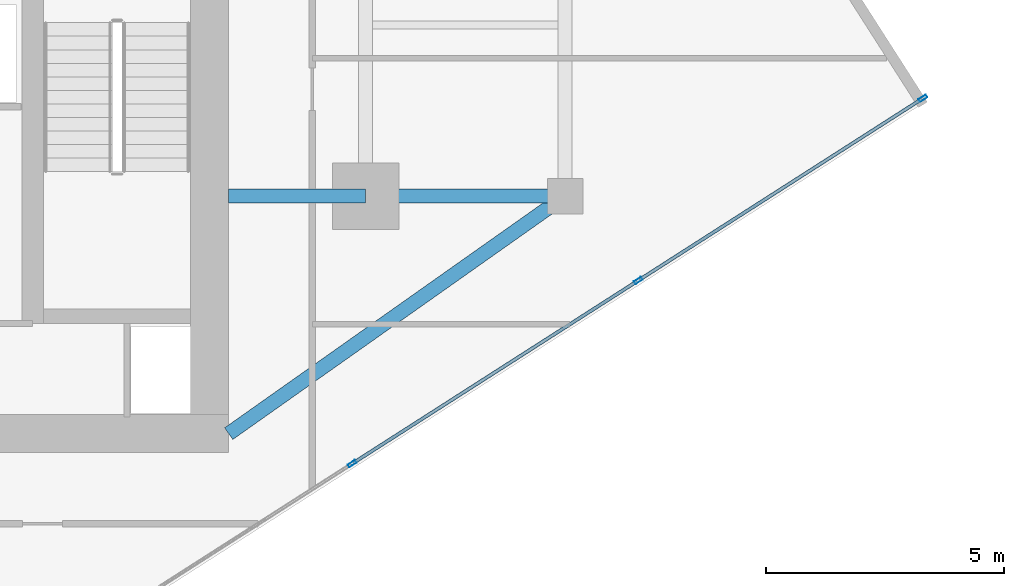
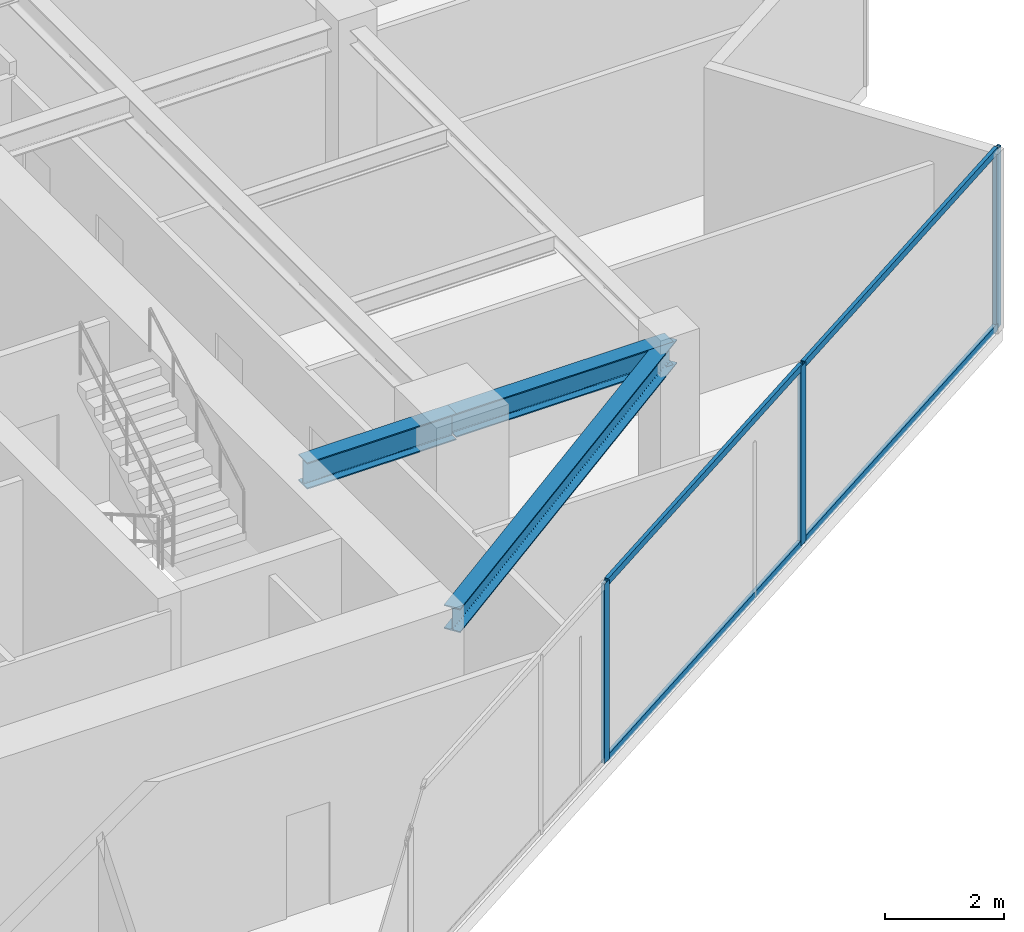
# One storey, part 8 of 20: 7 members, 3 beams, 1 element without a shape of its own.
"""IFC4 building model written with IfcOpenShell, lengths in metres."""

from ifc_helpers import new_model, si_unit, direction, frame, origin, origin_2d, place, context, subcontext, project, spatial, hollow_rectangle, i_section, extrude, source, transform, mapped, material, material_profile, profile_set, type_object, type_shapes, element, aggregate, save


model = new_model("IFC4")

# Units and contexts
model_context = context("Model", 3, precision=1e-05, world=origin(), true_north=direction((0.0, 1.0)))
body_context = subcontext(model_context, "Body", "Model", "MODEL_VIEW")
ifc_project = project(units=[si_unit("LENGTHUNIT", "METRE"), si_unit("AREAUNIT", "SQUARE_METRE"), si_unit("VOLUMEUNIT", "CUBIC_METRE"), si_unit("PLANEANGLEUNIT", "RADIAN"), si_unit("MASSUNIT", "GRAM", prefix="KILO")], contexts=[model_context])

# Site, building, storey
site_placement = place(None, origin())
site = spatial("IfcSite", under=ifc_project, at=site_placement, CompositionType="ELEMENT")
building_placement = place(site_placement, origin())
building = spatial("IfcBuilding", under=site, at=building_placement, Name="Krantzveldt Concourse Tower", CompositionType="ELEMENT")
storey_placement = place(building_placement, frame((0.0, 0.0, 291.10009765625)))
storey = spatial("IfcBuildingStorey", under=building, at=storey_placement, Name="L71", CompositionType="ELEMENT", Elevation=291.10009765625)

# Beams
ifc_material_1 = material(Name="Steel S355JR", Category="steel")
ifc_material_profile_1 = material_profile(ifc_material_1, i_section(OverallWidth=0.300048828125, OverallDepth=0.489990234375, WebThickness=0.011962890625, FlangeThickness=0.02294921875, FilletRadius=0.027099609375, at=origin_2d()), Name="Steel S355JR", Category="steel")
ifc_profile_set_1 = profile_set([ifc_material_profile_1], Name="Steel S355JR - HEA 500")
beam_type_1 = type_object("IfcBeamType", Name="BM-B-HEA500", PredefinedType="BEAM", material=ifc_profile_set_1)
shared_shape_1 = source(origin(), body_context, "Body", "SweptSolid", [
    extrude(i_section(OverallWidth=0.300048828125, OverallDepth=0.489990234375, WebThickness=0.011962890625, FlangeThickness=0.02294921875, FilletRadius=0.027099609375, at=origin_2d()), origin(), (0.0, 0.0, 1.0), 4.199951171875),
])
beam_1_placement = place(storey_placement, frame((46.800048828125, 15.89990234375, 3.4248046875), z_axis=(1.0, 0.0, 0.0), x_axis=(0.0, 1.0, 0.0)))
element("IfcBeam", 1, at=beam_1_placement, inside=storey, type_object=beam_type_1, Name="L71 Tower Girder BR-RR1", PredefinedType="BEAM", context=body_context, shape_type="MappedRepresentation", body=[
    mapped(shared_shape_1, transform((0.0, 0.0, 0.0), x_axis=(1.0, 0.0, 0.0), y_axis=(0.0, 1.0, 0.0), z_axis=(0.0, 0.0, 1.0), scale=1.0)),
])
shared_shape_2 = source(origin(), body_context, "Body", "SweptSolid", [
    extrude(i_section(OverallWidth=0.300048828125, OverallDepth=0.489990234375, WebThickness=0.011962890625, FlangeThickness=0.02294921875, FilletRadius=0.027099609375, at=origin_2d()), origin(), (0.0, 0.0, 1.0), 8.667724609375),
])
type_shapes(beam_type_1, [shared_shape_1, shared_shape_2])
beam_2_placement = place(storey_placement, frame((51.0, 15.89990234375, 3.4248046875), z_axis=(-0.81684294656, -0.576860122261, 0.0), x_axis=(0.576860122261, -0.81684294656, 0.0)))
element("IfcBeam", 2, at=beam_2_placement, inside=storey, type_object=beam_type_1, Name="L71 Tower Girder BR-CSE", PredefinedType="BEAM", context=body_context, shape_type="MappedRepresentation", body=[
    mapped(shared_shape_2, transform((0.0, 0.0, 0.0), x_axis=(1.0, 0.0, 0.0), y_axis=(0.0, 1.0, 0.0), z_axis=(0.0, 0.0, 1.0), scale=1.0)),
])
ifc_material_profile_2 = material_profile(ifc_material_1, i_section(OverallWidth=0.300048828125, OverallDepth=0.5400390625, WebThickness=0.012451171875, FlangeThickness=0.02392578125, FilletRadius=0.027099609375, at=origin_2d()), Name="Steel S355JR", Category="steel")
ifc_profile_set_2 = profile_set([ifc_material_profile_2], Name="Steel S355JR - HEA 550")
beam_type_2 = type_object("IfcBeamType", Name="BM-B-HEA550", PredefinedType="BEAM", material=ifc_profile_set_2)
shared_shape_3 = source(origin(), body_context, "Body", "SweptSolid", [
    extrude(i_section(OverallWidth=0.300048828125, OverallDepth=0.5400390625, WebThickness=0.012451171875, FlangeThickness=0.02392578125, FilletRadius=0.027099609375, at=origin_2d()), origin(), (0.0, 0.0, 1.0), 2.880126953125),
])
type_shapes(beam_type_2, [shared_shape_3])
beam_3_placement = place(storey_placement, frame((43.919921875, 15.89990234375, 3.39990234375), z_axis=(1.0, 0.0, 0.0), x_axis=(0.0, 1.0, 0.0)))
element("IfcBeam", 3, at=beam_3_placement, inside=storey, type_object=beam_type_2, Name="L71 Tower Girder BG-CE1", PredefinedType="BEAM", context=body_context, shape_type="MappedRepresentation", body=[
    mapped(shared_shape_3, transform((0.0, 0.0, 0.0), x_axis=(1.0, 0.0, 0.0), y_axis=(0.0, 1.0, 0.0), z_axis=(0.0, 0.0, 1.0), scale=1.0)),
])

# Curtain wall, members
ifc_material_2 = material(Name="Anodised aluminium 6063-T6", Category="aluminium")
curtain_wall_type = type_object("IfcCurtainWallType", Name="CW4", PredefinedType="USERDEFINED", material=ifc_material_2)
curtain_wall_placement = place(storey_placement, origin())
curtain_wall = element("IfcCurtainWall", 4, at=curtain_wall_placement, inside=storey, type_object=curtain_wall_type, Name="CW-L71-F07", ObjectType="UNITISED CURTAIN WALL", PredefinedType="USERDEFINED")
ifc_material_profile_3 = material_profile(ifc_material_2, hollow_rectangle(XDim=0.070068359375, YDim=0.179931640625, WallThickness=0.0048828125, at=origin_2d()), Name="Anodised aluminium 6063-T6", Category="aluminium")
ifc_profile_set_3 = profile_set([ifc_material_profile_3], Name="Anodised aluminium 6063-T6 - ALU-MULL 180x70x5")
member_type_1 = type_object("IfcMemberType", Name="CW-MUL-180", PredefinedType="MULLION", material=ifc_profile_set_3)
shared_shape_4 = source(origin(), body_context, "Body", "SweptSolid", [
    extrude(hollow_rectangle(XDim=0.070068359375, YDim=0.179931640625, WallThickness=0.0048828125, at=origin_2d()), origin(), (0.0, 0.0, 1.0), 3.669921875),
])
type_shapes(member_type_1, [shared_shape_4])
member_1_placement = place(storey_placement, frame((46.5185546875, 10.268310546875, 0.0), z_axis=(0.0, 0.0, 1.0), x_axis=(-0.53913830827, 0.842217243088, 0.0)))
member_1 = element("IfcMember", 5, at=member_1_placement, type_object=member_type_1, Name="CW-Z56 mullion 3", PredefinedType="MULLION", context=body_context, shape_type="MappedRepresentation", body=[
    mapped(shared_shape_4, transform((0.0, 0.0, 0.0), x_axis=(1.0, 0.0, 0.0), y_axis=(0.0, 1.0, 0.0), z_axis=(0.0, 0.0, 1.0), scale=1.0)),
])
member_2_placement = place(storey_placement, frame((52.54052734375, 14.123291015625, 0.0), z_axis=(0.0, 0.0, 1.0), x_axis=(-0.53913830827, 0.842217243088, 0.0)))
member_2 = element("IfcMember", 6, at=member_2_placement, type_object=member_type_1, Name="CW-Z56 mullion 4", PredefinedType="MULLION", context=body_context, shape_type="MappedRepresentation", body=[
    mapped(shared_shape_4, transform((0.0, 0.0, 0.0), x_axis=(1.0, 0.0, 0.0), y_axis=(0.0, 1.0, 0.0), z_axis=(0.0, 0.0, 1.0), scale=1.0)),
])
member_3_placement = place(storey_placement, frame((58.53271484375, 17.959228515625, 0.0), z_axis=(0.0, 0.0, 1.0), x_axis=(-0.53913830827, 0.842217243088, 0.0)))
member_3 = element("IfcMember", 7, at=member_3_placement, type_object=member_type_1, Name="CW-Z56 mullion 5", PredefinedType="MULLION", context=body_context, shape_type="MappedRepresentation", body=[
    mapped(shared_shape_4, transform((0.0, 0.0, 0.0), x_axis=(1.0, 0.0, 0.0), y_axis=(0.0, 1.0, 0.0), z_axis=(0.0, 0.0, 1.0), scale=1.0)),
])
ifc_material_profile_4 = material_profile(ifc_material_2, hollow_rectangle(XDim=0.070068359375, YDim=0.139892578125, WallThickness=0.0048828125, at=origin_2d()), Name="Anodised aluminium 6063-T6", Category="aluminium")
ifc_profile_set_4 = profile_set([ifc_material_profile_4], Name="Anodised aluminium 6063-T6 - ALU-TRAN 140x70x5")
member_type_2 = type_object("IfcMemberType", Name="CW-TRN-150", PredefinedType="USERDEFINED", material=ifc_profile_set_4)
shared_shape_5 = source(origin(), body_context, "Body", "SweptSolid", [
    extrude(hollow_rectangle(XDim=0.070068359375, YDim=0.139892578125, WallThickness=0.0048828125, at=origin_2d()), origin(), (0.0, 0.0, 1.0), 7.080078125),
])
member_4_placement = place(storey_placement, frame((46.548095703125, 10.287109375, 0.034912109375), z_axis=(0.842214406915, 0.539142738786, 0.0), x_axis=(-0.539142738786, 0.842214406915, 0.0)))
member_4 = element("IfcMember", 8, at=member_4_placement, type_object=member_type_2, Name="CW-Z56 transom 3.1", ObjectType="TRANSOM", PredefinedType="USERDEFINED", context=body_context, shape_type="MappedRepresentation", body=[
    mapped(shared_shape_5, transform((0.0, 0.0, 0.0), x_axis=(1.0, 0.0, 0.0), y_axis=(0.0, 1.0, 0.0), z_axis=(0.0, 0.0, 1.0), scale=1.0)),
])
member_5_placement = place(storey_placement, frame((46.548095703125, 10.287109375, 3.635009765625), z_axis=(0.842214406915, 0.539142738786, 0.0), x_axis=(-0.539142738786, 0.842214406915, 0.0)))
member_5 = element("IfcMember", 9, at=member_5_placement, type_object=member_type_2, Name="CW-Z56 transom 3.2", ObjectType="TRANSOM", PredefinedType="USERDEFINED", context=body_context, shape_type="MappedRepresentation", body=[
    mapped(shared_shape_5, transform((0.0, 0.0, 0.0), x_axis=(1.0, 0.0, 0.0), y_axis=(0.0, 1.0, 0.0), z_axis=(0.0, 0.0, 1.0), scale=1.0)),
])
shared_shape_6 = source(origin(), body_context, "Body", "SweptSolid", [
    extrude(hollow_rectangle(XDim=0.070068359375, YDim=0.139892578125, WallThickness=0.0048828125, at=origin_2d()), origin(), (0.0, 0.0, 1.0), 7.045166015625),
])
type_shapes(member_type_2, [shared_shape_5, shared_shape_6])
member_6_placement = place(storey_placement, frame((52.56982421875, 14.14208984375, 0.034912109375), z_axis=(0.842233007615, 0.539113680854, 0.0), x_axis=(-0.539113680854, 0.842233007615, 0.0)))
member_6 = element("IfcMember", 10, at=member_6_placement, type_object=member_type_2, Name="CW-Z56 transom 4.1", ObjectType="TRANSOM", PredefinedType="USERDEFINED", context=body_context, shape_type="MappedRepresentation", body=[
    mapped(shared_shape_6, transform((0.0, 0.0, 0.0), x_axis=(1.0, 0.0, 0.0), y_axis=(0.0, 1.0, 0.0), z_axis=(0.0, 0.0, 1.0), scale=1.0)),
])
member_7_placement = place(storey_placement, frame((52.56982421875, 14.14208984375, 3.635009765625), z_axis=(0.842233007615, 0.539113680854, 0.0), x_axis=(-0.539113680854, 0.842233007615, 0.0)))
member_7 = element("IfcMember", 11, at=member_7_placement, type_object=member_type_2, Name="CW-Z56 transom 4.2", ObjectType="TRANSOM", PredefinedType="USERDEFINED", context=body_context, shape_type="MappedRepresentation", body=[
    mapped(shared_shape_6, transform((0.0, 0.0, 0.0), x_axis=(1.0, 0.0, 0.0), y_axis=(0.0, 1.0, 0.0), z_axis=(0.0, 0.0, 1.0), scale=1.0)),
])
aggregate(curtain_wall, [member_1, member_2, member_3, member_4, member_5, member_6, member_7])

save(model, "model.ifc")
